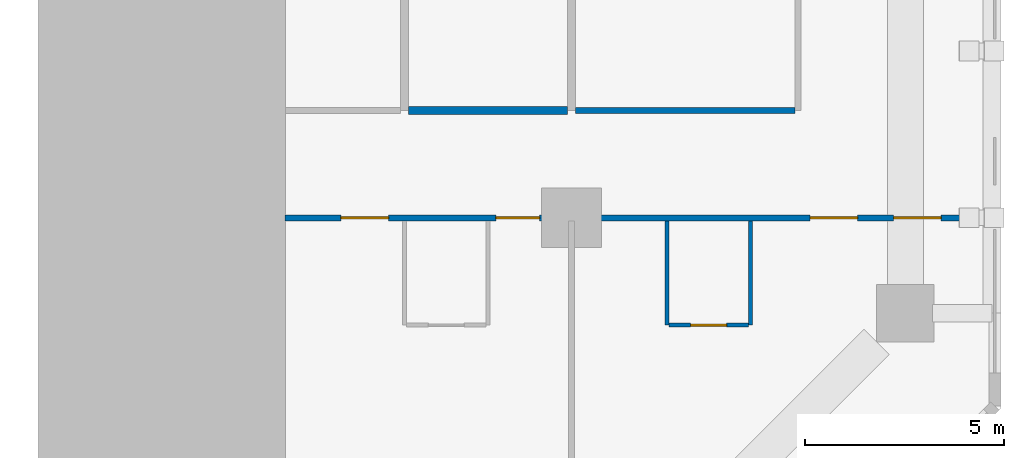
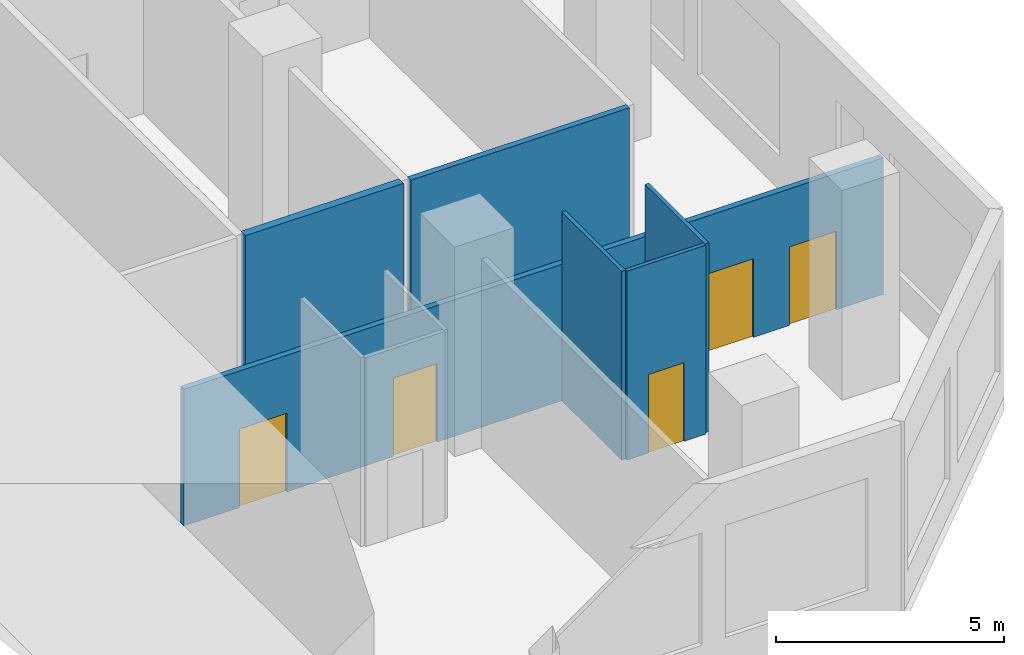
# One storey, part 9 of 24: 6 walls, 5 doors, 5 openings.
"""IFC4 building model written with IfcOpenShell, lengths in metres."""

from ifc_helpers import new_model, si_unit, direction, frame, frame_2d, origin, place, context, subcontext, project, spatial, rectangle, extrude, material, layer, layer_set, type_object, element, fill, save


model = new_model("IFC4")

# Units and contexts
model_context = context("Model", 3, precision=1e-05, world=origin(), true_north=direction((0.0, 1.0)))
body_context = subcontext(model_context, "Body", "Model", "MODEL_VIEW")
ifc_project = project(units=[si_unit("LENGTHUNIT", "METRE"), si_unit("AREAUNIT", "SQUARE_METRE"), si_unit("VOLUMEUNIT", "CUBIC_METRE"), si_unit("PLANEANGLEUNIT", "RADIAN"), si_unit("MASSUNIT", "GRAM", prefix="KILO")], contexts=[model_context])

# Site, building, storey
site_placement = place(None, origin())
site = spatial("IfcSite", under=ifc_project, at=site_placement, CompositionType="ELEMENT")
building_placement = place(site_placement, origin())
building = spatial("IfcBuilding", under=site, at=building_placement, Name="Kawkab Arch Medical Tower", CompositionType="ELEMENT")
storey_placement = place(building_placement, frame((0.0, 0.0, 18.199951171875)))
storey = spatial("IfcBuildingStorey", under=building, at=storey_placement, Name="L04", CompositionType="ELEMENT", Elevation=18.199951171875)

# Wall, opening, door
ifc_material_1 = material(Name="Gypsum board partition on steel studs", Category="steel")
ifc_layer_1 = layer(ifc_material_1, 0.10009765625)
ifc_layer_set_1 = layer_set([ifc_layer_1], Name="Gypsum board partition on steel studs")
wall_type_1 = type_object("IfcWallType", Name="Partition 100", PredefinedType="PARTITIONING", material=ifc_layer_set_1)
wall_1_placement = place(storey_placement, frame((86.451904296875, -27.89990234375, 0.0), z_axis=(0.0, 0.0, 1.0), x_axis=(1.0, 0.0, 0.0)))
wall_1 = element("IfcWall", 1, at=wall_1_placement, inside=storey, type_object=wall_type_1, Name="Partition 100 w018", PredefinedType="PARTITIONING", context=body_context, shape_type="SweptSolid", body=[
    extrude(rectangle(XDim=1.99609375, YDim=0.10009765625, at=frame_2d((0.998046875, 0.0))), origin(), (0.0, 0.0, 1.0), 5.050048828125),
])
opening_1_placement = place(wall_1_placement, frame((0.548095703125, 0.0, 0.0)))
opening_1 = element("IfcOpeningElement", 2, at=opening_1_placement, cuts=wall_1, Name="Opening P04-007", PredefinedType="OPENING", context=body_context, shape_type="SweptSolid", body=[
    extrude(rectangle(XDim=0.89990234375, YDim=2.10009765625, at=frame_2d((0.449951171875, 1.050048828125))), frame((0.0, 0.06005859375, 0.0), z_axis=(0.0, -1.0, 0.0), x_axis=(1.0, 0.0, 0.0)), (0.0, 0.0, 1.0), 0.1201171875),
])
ifc_material_2 = material(Name="Timber door leaf", Category="wood")
door_type_1 = type_object("IfcDoorType", Name="Single door 900x2100", OperationType="NOTDEFINED", PredefinedType="DOOR", material=ifc_material_2)
door_1_placement = place(opening_1_placement, origin())
door_1 = element("IfcDoor", 3, at=door_1_placement, inside=storey, type_object=door_type_1, Name="Door P04-007", OperationType="SINGLE_SWING_LEFT", OverallHeight=2.10009765625, OverallWidth=0.89990234375, PredefinedType="DOOR", context=body_context, shape_type="SweptSolid", body=[
    extrude(rectangle(XDim=0.89990234375, YDim=2.10009765625, at=frame_2d((0.449951171875, 1.050048828125))), frame((0.0, 0.02490234375, 0.0), z_axis=(0.0, -1.0, 0.0), x_axis=(1.0, 0.0, 0.0)), (0.0, 0.0, 1.0), 0.050048828125),
])
fill(opening_1, door_1)

# Walls
wall_2_placement = place(storey_placement, frame((86.39990234375, -27.89794921875, 0.0), z_axis=(0.0, 0.0, 1.0), x_axis=(0.0, 1.0, 0.0)))
element("IfcWall", 4, at=wall_2_placement, inside=storey, type_object=wall_type_1, Name="Partition 100 w039", PredefinedType="PARTITIONING", context=body_context, shape_type="SweptSolid", body=[
    extrude(rectangle(XDim=2.623046875, YDim=0.10009765625, at=frame_2d((1.3115234375, 0.0))), origin(), (0.0, 0.0, 1.0), 5.050048828125),
])
wall_3_placement = place(storey_placement, frame((88.5, -27.89892578125, 0.0), z_axis=(0.0, 0.0, 1.0), x_axis=(0.0, 1.0, 0.0)))
element("IfcWall", 5, at=wall_3_placement, inside=storey, type_object=wall_type_1, Name="Partition 100 w041", PredefinedType="PARTITIONING", context=body_context, shape_type="SweptSolid", body=[
    extrude(rectangle(XDim=2.6240234375, YDim=0.10009765625, at=frame_2d((1.31201171875, 0.0))), origin(), (0.0, 0.0, 1.0), 5.050048828125),
])

# Wall, openings, doors
ifc_material_3 = material(Name="Gypsum board partition on steel studs, mineral wool", Category="steel")
ifc_layer_2 = layer(ifc_material_3, 0.14990234375)
ifc_layer_set_2 = layer_set([ifc_layer_2], Name="Gypsum board partition on steel studs, mineral wool")
wall_type_2 = type_object("IfcWallType", Name="Partition 150", PredefinedType="PARTITIONING", material=ifc_layer_set_2)
wall_4_placement = place(storey_placement, frame((76.800048828125, -25.199951171875, 0.0), z_axis=(0.0, 0.0, 1.0), x_axis=(1.0, 0.0, 0.0)))
wall_4 = element("IfcWall", 6, at=wall_4_placement, inside=storey, type_object=wall_type_2, Name="Partition 150 w072", PredefinedType="PARTITIONING", context=body_context, shape_type="SweptSolid", body=[
    extrude(rectangle(XDim=17.679931640625, YDim=0.14990234375, at=frame_2d((8.83984375, 0.0))), origin(), (0.0, 0.0, 1.0), 3.650146484375),
])
opening_2_placement = place(wall_4_placement, frame((1.39990234375, 0.0, 0.0)))
opening_2 = element("IfcOpeningElement", 7, at=opening_2_placement, cuts=wall_4, Name="Opening P04-052", PredefinedType="OPENING", context=body_context, shape_type="SweptSolid", body=[
    extrude(rectangle(XDim=1.199951171875, YDim=2.10009765625, at=frame_2d((0.60009765625, 1.050048828125))), frame((0.0, 0.0849609375, 0.0), z_axis=(0.0, -1.0, 0.0), x_axis=(1.0, 0.0, 0.0)), (0.0, 0.0, 1.0), 0.169921875),
])
opening_3_placement = place(wall_4_placement, frame((5.300048828125, 0.0, 0.0)))
opening_3 = element("IfcOpeningElement", 8, at=opening_3_placement, cuts=wall_4, Name="Opening P04-036", PredefinedType="OPENING", context=body_context, shape_type="SweptSolid", body=[
    extrude(rectangle(XDim=1.10009765625, YDim=2.10009765625, at=frame_2d((0.550048828125, 1.050048828125))), frame((0.0, 0.0849609375, 0.0), z_axis=(0.0, -1.0, 0.0), x_axis=(1.0, 0.0, 0.0)), (0.0, 0.0, 1.0), 0.169921875),
])
opening_4_placement = place(wall_4_placement, frame((15.300048828125, 0.0, 0.0)))
opening_4 = element("IfcOpeningElement", 9, at=opening_4_placement, cuts=wall_4, Name="Opening P04-053", PredefinedType="OPENING", context=body_context, shape_type="SweptSolid", body=[
    extrude(rectangle(XDim=1.199951171875, YDim=2.10009765625, at=frame_2d((0.60009765625, 1.050048828125))), frame((0.0, 0.0849609375, 0.0), z_axis=(0.0, -1.0, 0.0), x_axis=(1.0, 0.0, 0.0)), (0.0, 0.0, 1.0), 0.169921875),
])
opening_5_placement = place(wall_4_placement, frame((13.199951171875, 0.0, 0.0)))
opening_5 = element("IfcOpeningElement", 10, at=opening_5_placement, cuts=wall_4, Name="Opening P04-054", PredefinedType="OPENING", context=body_context, shape_type="SweptSolid", body=[
    extrude(rectangle(XDim=1.199951171875, YDim=2.10009765625, at=frame_2d((0.60009765625, 1.050048828125))), frame((0.0, 0.0849609375, 0.0), z_axis=(0.0, -1.0, 0.0), x_axis=(1.0, 0.0, 0.0)), (0.0, 0.0, 1.0), 0.169921875),
])
ifc_material_4 = material(Name="Hollow metal door leaf")
door_type_2 = type_object("IfcDoorType", Name="Single door 1100x2100 FD30S", OperationType="NOTDEFINED", PredefinedType="DOOR", material=ifc_material_4)
door_2_placement = place(opening_3_placement, origin())
door_2 = element("IfcDoor", 11, at=door_2_placement, inside=storey, type_object=door_type_2, Name="Door P04-036", OperationType="SINGLE_SWING_RIGHT", OverallHeight=2.10009765625, OverallWidth=1.10009765625, PredefinedType="DOOR", context=body_context, shape_type="SweptSolid", body=[
    extrude(rectangle(XDim=1.10009765625, YDim=2.10009765625, at=frame_2d((0.550048828125, 1.050048828125))), frame((0.0, 0.02490234375, 0.0), z_axis=(0.0, -1.0, 0.0), x_axis=(1.0, 0.0, 0.0)), (0.0, 0.0, 1.0), 0.050048828125),
])
fill(opening_3, door_2)
ifc_material_5 = material(Name="Hollow metal door leaf")
door_type_3 = type_object("IfcDoorType", Name="Single door 1200x2100 FD30S", OperationType="NOTDEFINED", PredefinedType="DOOR", material=ifc_material_5)
door_3_placement = place(opening_2_placement, origin())
door_3 = element("IfcDoor", 12, at=door_3_placement, inside=storey, type_object=door_type_3, Name="Door P04-052", OperationType="SINGLE_SWING_RIGHT", OverallHeight=2.10009765625, OverallWidth=1.199951171875, PredefinedType="DOOR", context=body_context, shape_type="SweptSolid", body=[
    extrude(rectangle(XDim=1.199951171875, YDim=2.10009765625, at=frame_2d((0.60009765625, 1.050048828125))), frame((0.0, 0.02490234375, 0.0), z_axis=(0.0, -1.0, 0.0), x_axis=(1.0, 0.0, 0.0)), (0.0, 0.0, 1.0), 0.050048828125),
])
fill(opening_2, door_3)
door_4_placement = place(opening_4_placement, origin())
door_4 = element("IfcDoor", 13, at=door_4_placement, inside=storey, type_object=door_type_3, Name="Door P04-053", OperationType="SINGLE_SWING_LEFT", OverallHeight=2.10009765625, OverallWidth=1.199951171875, PredefinedType="DOOR", context=body_context, shape_type="SweptSolid", body=[
    extrude(rectangle(XDim=1.199951171875, YDim=2.10009765625, at=frame_2d((0.60009765625, 1.050048828125))), frame((0.0, 0.02490234375, 0.0), z_axis=(0.0, -1.0, 0.0), x_axis=(1.0, 0.0, 0.0)), (0.0, 0.0, 1.0), 0.050048828125),
])
fill(opening_4, door_4)
door_5_placement = place(opening_5_placement, origin())
door_5 = element("IfcDoor", 14, at=door_5_placement, inside=storey, type_object=door_type_3, Name="Door P04-054", OperationType="SINGLE_SWING_LEFT", OverallHeight=2.10009765625, OverallWidth=1.199951171875, PredefinedType="DOOR", context=body_context, shape_type="SweptSolid", body=[
    extrude(rectangle(XDim=1.199951171875, YDim=2.10009765625, at=frame_2d((0.60009765625, 1.050048828125))), frame((0.0, 0.02490234375, 0.0), z_axis=(0.0, -1.0, 0.0), x_axis=(1.0, 0.0, 0.0)), (0.0, 0.0, 1.0), 0.050048828125),
])
fill(opening_5, door_5)

# Walls
wall_5_placement = place(storey_placement, frame((84.10009765625, -22.5, 0.0), z_axis=(0.0, 0.0, 1.0), x_axis=(1.0, 0.0, 0.0)))
element("IfcWall", 15, at=wall_5_placement, inside=storey, type_object=wall_type_2, Name="Partition 150 w075", PredefinedType="PARTITIONING", context=body_context, shape_type="SweptSolid", body=[
    extrude(rectangle(XDim=5.52490234375, YDim=0.14990234375, at=frame_2d((2.762451171875, 0.0))), origin(), (0.0, 0.0, 1.0), 5.050048828125),
])
ifc_material_6 = material(Name="Fire-rated gypsum board partition on steel studs", Category="steel")
ifc_layer_3 = layer(ifc_material_6, 0.199951171875)
ifc_layer_set_3 = layer_set([ifc_layer_3], Name="Fire-rated gypsum board partition on steel studs")
wall_type_3 = type_object("IfcWallType", Name="Protected partition 200", PredefinedType="PARTITIONING", material=ifc_layer_set_3)
wall_6_placement = place(storey_placement, frame((79.89990234375, -22.5, 0.0), z_axis=(0.0, 0.0, 1.0), x_axis=(1.0, 0.0, 0.0)))
element("IfcWall", 16, at=wall_6_placement, inside=storey, type_object=wall_type_3, Name="Protected partition 200 w122", PredefinedType="PARTITIONING", context=body_context, shape_type="SweptSolid", body=[
    extrude(rectangle(XDim=4.0, YDim=0.199951171875, at=frame_2d((2.0, 0.0))), origin(), (0.0, 0.0, 1.0), 5.050048828125),
])

save(model, "model.ifc")
